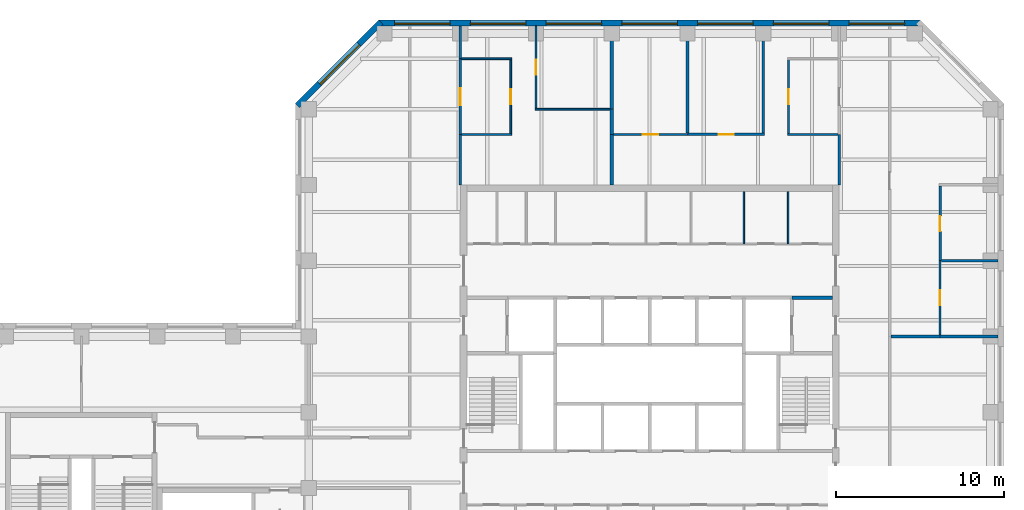
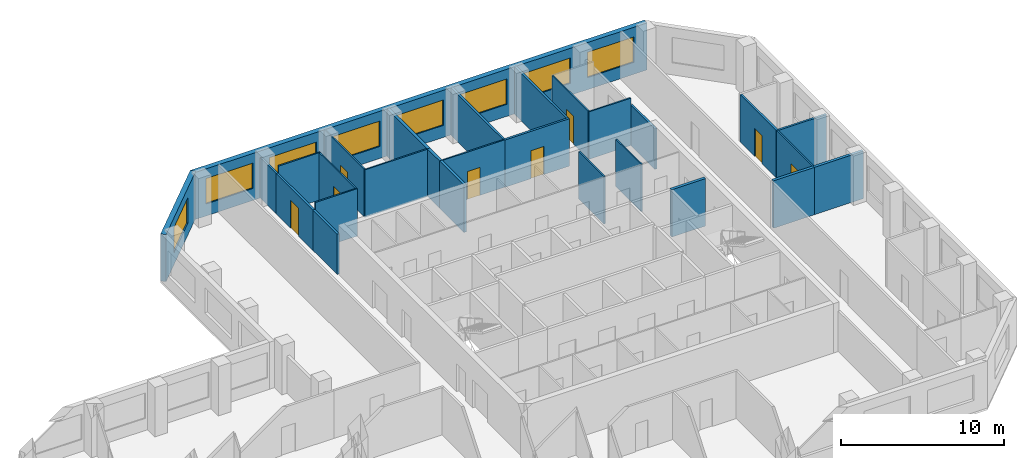
# One storey, part 7 of 9: 28 walls, 8 doors, 8 windows, 16 openings.
"""IFC4 building model written with IfcOpenShell, lengths in metres."""

from ifc_helpers import new_model, si_unit, direction, frame, frame_2d, origin, place, context, subcontext, project, spatial, rectangle, extrude, material, layer, layer_set, constituent, constituent_set, type_object, element, fill, save


model = new_model("IFC4")

# Units and contexts
model_context = context("Model", 3, precision=1e-05, world=origin(), true_north=direction((0.0, 1.0)))
body_context = subcontext(model_context, "Body", "Model", "MODEL_VIEW")
ifc_project = project(units=[si_unit("LENGTHUNIT", "METRE"), si_unit("AREAUNIT", "SQUARE_METRE"), si_unit("VOLUMEUNIT", "CUBIC_METRE"), si_unit("PLANEANGLEUNIT", "RADIAN"), si_unit("MASSUNIT", "GRAM", prefix="KILO")], contexts=[model_context])

# Site, building, storey
site_placement = place(None, origin())
site = spatial("IfcSite", under=ifc_project, at=site_placement, CompositionType="ELEMENT")
building_placement = place(site_placement, origin())
building = spatial("IfcBuilding", under=site, at=building_placement, Name="Quoin Convention Tower", CompositionType="ELEMENT")
storey_placement = place(building_placement, frame((0.0, 0.0, 252.60009765625)))
storey = spatial("IfcBuildingStorey", under=building, at=storey_placement, Name="L66", CompositionType="ELEMENT", Elevation=252.60009765625)

# Wall
ifc_material_1 = material(Name="Plasterboard")
ifc_layer_1 = layer(ifc_material_1, 0.012451171875, Name="Finish")
ifc_material_2 = material(Name="Steel stud framing", Category="steel")
ifc_layer_2 = layer(ifc_material_2, 0.125, Name="Structure")
ifc_layer_3 = layer(ifc_material_1, 0.012451171875, Name="Finish")
ifc_layer_set_1 = layer_set([ifc_layer_1, ifc_layer_2, ifc_layer_3], Name="Steel stud framing")
wall_type_1 = type_object("IfcWallType", Name="Acoustic partition 150", PredefinedType="PARTITIONING", material=ifc_layer_set_1)
wall_1_placement = place(storey_placement, frame((73.574951171875, 67.5, 0.0), z_axis=(0.0, 0.0, 1.0), x_axis=(1.0, 0.0, 0.0)))
element("IfcWall", 1, at=wall_1_placement, inside=storey, type_object=wall_type_1, Name="pw-L66-023", PredefinedType="PARTITIONING", context=body_context, shape_type="SweptSolid", body=[
    extrude(rectangle(XDim=3.375, YDim=0.14990234375, at=frame_2d((1.6875, 0.0))), origin(), (0.0, 0.0, 1.0), 3.5498046875),
])

# Wall, opening, door
wall_2_placement = place(storey_placement, frame((58.5, 75.0, 0.0), z_axis=(0.0, 0.0, 1.0), x_axis=(1.0, 0.0, 0.0)))
wall_2 = element("IfcWall", 2, at=wall_2_placement, inside=storey, type_object=wall_type_1, Name="pw-L66-027", PredefinedType="PARTITIONING", context=body_context, shape_type="SweptSolid", body=[
    extrude(rectangle(XDim=4.574951171875, YDim=0.14990234375, at=frame_2d((2.28759765625, 0.0))), origin(), (0.0, 0.0, 1.0), 3.5498046875),
])
opening_1_placement = place(wall_2_placement, frame((1.85009765625, 0.0, 0.0)))
opening_1 = element("IfcOpeningElement", 3, at=opening_1_placement, cuts=wall_2, Name="Opening DOH12-08", PredefinedType="OPENING", context=body_context, shape_type="SweptSolid", body=[
    extrude(rectangle(XDim=0.89990234375, YDim=2.10009765625, at=frame_2d((0.449951171875, 1.050048828125))), frame((0.0, 0.0849609375, 0.0), z_axis=(0.0, -1.0, 0.0), x_axis=(1.0, 0.0, 0.0)), (0.0, 0.0, 1.0), 0.169921875),
])
ifc_material_3 = material(Name="Steel door leaf", Category="steel")
door_type_1 = type_object("IfcDoorType", Name="Office door 900 x 2100", OperationType="SINGLE_SWING_RIGHT", PredefinedType="DOOR", material=ifc_material_3)
door_1_placement = place(opening_1_placement, frame((0.89990234375, 0.0, 0.0), z_axis=(0.0, 0.0, 1.0), x_axis=(-1.0, 0.0, 0.0)))
door_1 = element("IfcDoor", 4, at=door_1_placement, inside=storey, type_object=door_type_1, Name="dr-L66-22", OperationType="SINGLE_SWING_LEFT", OverallHeight=2.10009765625, OverallWidth=0.89990234375, PredefinedType="DOOR", context=body_context, shape_type="SweptSolid", body=[
    extrude(rectangle(XDim=0.89990234375, YDim=2.10009765625, at=frame_2d((0.449951171875, 1.050048828125))), frame((0.0, 0.02490234375, 0.0), z_axis=(0.0, -1.0, 0.0), x_axis=(1.0, 0.0, 0.0)), (0.0, 0.0, 1.0), 0.050048828125),
])
fill(opening_1, door_1)

wall_3_placement = place(storey_placement, frame((73.5, 67.5, 0.0), z_axis=(0.0, 0.0, 1.0), x_axis=(0.0, 1.0, 0.0)))
wall_3 = element("IfcWall", 5, at=wall_3_placement, inside=storey, type_object=wall_type_1, Name="pw-L66-064", PredefinedType="PARTITIONING", context=body_context, shape_type="SweptSolid", body=[
    extrude(rectangle(XDim=4.425048828125, YDim=0.14990234375, at=frame_2d((2.21240234375, 0.0))), origin(), (0.0, 0.0, 1.0), 3.5498046875),
])
opening_2_placement = place(wall_3_placement, frame((1.75, 0.0, 0.0)))
opening_2 = element("IfcOpeningElement", 6, at=opening_2_placement, cuts=wall_3, Name="Opening DOH12-17", PredefinedType="OPENING", context=body_context, shape_type="SweptSolid", body=[
    extrude(rectangle(XDim=0.89990234375, YDim=2.10009765625, at=frame_2d((0.449951171875, 1.050048828125))), frame((0.0, 0.0849609375, 0.0), z_axis=(0.0, -1.0, 0.0), x_axis=(1.0, 0.0, 0.0)), (0.0, 0.0, 1.0), 0.169921875),
])
door_2_placement = place(opening_2_placement, origin())
door_2 = element("IfcDoor", 7, at=door_2_placement, inside=storey, type_object=door_type_1, Name="dr-L66-29", OperationType="SINGLE_SWING_RIGHT", OverallHeight=2.10009765625, OverallWidth=0.89990234375, PredefinedType="DOOR", context=body_context, shape_type="SweptSolid", body=[
    extrude(rectangle(XDim=0.89990234375, YDim=2.10009765625, at=frame_2d((0.449951171875, 1.050048828125))), frame((0.0, 0.02490234375, 0.0), z_axis=(0.0, -1.0, 0.0), x_axis=(1.0, 0.0, 0.0)), (0.0, 0.0, 1.0), 0.050048828125),
])
fill(opening_2, door_2)

# Walls
for number, where, z_axis, x_axis, name in (
    (8, (58.5, 75.074951171875, 0.0), (0.0, 0.0, 1.0), (0.0, 1.0, 0.0), "pw-L66-073"),
    (9, (63.0, 75.074951171875, 0.0), (0.0, 0.0, 1.0), (0.0, 1.0, 0.0), "pw-L66-074"),
):
    element("IfcWall", number, at=place(storey_placement, frame(where, z_axis=z_axis, x_axis=x_axis)), inside=storey, type_object=wall_type_1, Name=name, PredefinedType="PARTITIONING", context=body_context, shape_type="SweptSolid", body=[
        extrude(rectangle(XDim=6.375, YDim=0.14990234375, at=frame_2d((3.1875, 0.0))), origin(), (0.0, 0.0, 1.0), 3.5498046875),
    ])

# Wall, openings, windows
ifc_material_4 = material(Name="Brick masonry", Category="masonry")
ifc_layer_4 = layer(ifc_material_4, 0.35009765625)
ifc_layer_set_2 = layer_set([ifc_layer_4], Name="Brick masonry")
wall_type_2 = type_object("IfcWallType", Name="Brick facade wall", PredefinedType="STANDARD", material=ifc_layer_set_2)
wall_4_placement = place(storey_placement, frame((72.331298828125, 81.625, 0.0), z_axis=(0.0, 0.0, 1.0), x_axis=(-1.0, 0.0, 0.0)))
wall_4 = element("IfcWall", 10, at=wall_4_placement, inside=storey, type_object=wall_type_2, Name="fw-L66-72000_81000", PredefinedType="STANDARD", context=body_context, shape_type="SweptSolid", body=[
    extrude(rectangle(XDim=32.16259765625, YDim=0.35009765625, at=frame_2d((16.081298828125, 0.0))), origin(), (0.0, 0.0, 1.0), 3.52490234375),
])
opening_3_placement = place(wall_4_placement, frame((0.931396484375, 0.0, 0.89990234375)))
opening_3 = element("IfcOpeningElement", 11, at=opening_3_placement, cuts=wall_4, Name="Opening W-02", PredefinedType="OPENING", context=body_context, shape_type="SweptSolid", body=[
    extrude(rectangle(XDim=3.300048828125, YDim=1.89990234375, at=frame_2d((1.64990234375, 0.949951171875))), frame((0.0, 0.18505859375, 0.0), z_axis=(0.0, -1.0, 0.0), x_axis=(1.0, 0.0, 0.0)), (0.0, 0.0, 1.0), 0.3701171875),
])
opening_4_placement = place(wall_4_placement, frame((5.431396484375, 0.0, 0.89990234375)))
opening_4 = element("IfcOpeningElement", 12, at=opening_4_placement, cuts=wall_4, Name="Opening W-02", PredefinedType="OPENING", context=body_context, shape_type="SweptSolid", body=[
    extrude(rectangle(XDim=3.300048828125, YDim=1.89990234375, at=frame_2d((1.64990234375, 0.949951171875))), frame((0.0, 0.18505859375, 0.0), z_axis=(0.0, -1.0, 0.0), x_axis=(1.0, 0.0, 0.0)), (0.0, 0.0, 1.0), 0.3701171875),
])
opening_5_placement = place(wall_4_placement, frame((9.931396484375, 0.0, 0.89990234375)))
opening_5 = element("IfcOpeningElement", 13, at=opening_5_placement, cuts=wall_4, Name="Opening W-02", PredefinedType="OPENING", context=body_context, shape_type="SweptSolid", body=[
    extrude(rectangle(XDim=3.300048828125, YDim=1.89990234375, at=frame_2d((1.64990234375, 0.949951171875))), frame((0.0, 0.18505859375, 0.0), z_axis=(0.0, -1.0, 0.0), x_axis=(1.0, 0.0, 0.0)), (0.0, 0.0, 1.0), 0.3701171875),
])
opening_6_placement = place(wall_4_placement, frame((14.431396484375, 0.0, 0.89990234375)))
opening_6 = element("IfcOpeningElement", 14, at=opening_6_placement, cuts=wall_4, Name="Opening W-02", PredefinedType="OPENING", context=body_context, shape_type="SweptSolid", body=[
    extrude(rectangle(XDim=3.300048828125, YDim=1.89990234375, at=frame_2d((1.64990234375, 0.949951171875))), frame((0.0, 0.18505859375, 0.0), z_axis=(0.0, -1.0, 0.0), x_axis=(1.0, 0.0, 0.0)), (0.0, 0.0, 1.0), 0.3701171875),
])
opening_7_placement = place(wall_4_placement, frame((18.931396484375, 0.0, 0.89990234375)))
opening_7 = element("IfcOpeningElement", 15, at=opening_7_placement, cuts=wall_4, Name="Opening W-02", PredefinedType="OPENING", context=body_context, shape_type="SweptSolid", body=[
    extrude(rectangle(XDim=3.300048828125, YDim=1.89990234375, at=frame_2d((1.64990234375, 0.949951171875))), frame((0.0, 0.18505859375, 0.0), z_axis=(0.0, -1.0, 0.0), x_axis=(1.0, 0.0, 0.0)), (0.0, 0.0, 1.0), 0.3701171875),
])
opening_8_placement = place(wall_4_placement, frame((23.431396484375, 0.0, 0.89990234375)))
opening_8 = element("IfcOpeningElement", 16, at=opening_8_placement, cuts=wall_4, Name="Opening W-02", PredefinedType="OPENING", context=body_context, shape_type="SweptSolid", body=[
    extrude(rectangle(XDim=3.300048828125, YDim=1.89990234375, at=frame_2d((1.64990234375, 0.949951171875))), frame((0.0, 0.18505859375, 0.0), z_axis=(0.0, -1.0, 0.0), x_axis=(1.0, 0.0, 0.0)), (0.0, 0.0, 1.0), 0.3701171875),
])
opening_9_placement = place(wall_4_placement, frame((27.931396484375, 0.0, 0.89990234375)))
opening_9 = element("IfcOpeningElement", 17, at=opening_9_placement, cuts=wall_4, Name="Opening W-02", PredefinedType="OPENING", context=body_context, shape_type="SweptSolid", body=[
    extrude(rectangle(XDim=3.300048828125, YDim=1.89990234375, at=frame_2d((1.64990234375, 0.949951171875))), frame((0.0, 0.18505859375, 0.0), z_axis=(0.0, -1.0, 0.0), x_axis=(1.0, 0.0, 0.0)), (0.0, 0.0, 1.0), 0.3701171875),
])
ifc_material_5 = material(Name="Aluminium", Category="aluminium")
ifc_constituent_1 = constituent(ifc_material_5, Name="Frame")
ifc_material_6 = material(Name="Insulated glass", Category="glass")
ifc_constituent_2 = constituent(ifc_material_6, Name="Glazing")
ifc_constituent_set = constituent_set(constituents=[ifc_constituent_1, ifc_constituent_2], Name="Aluminium")
window_type = type_object("IfcWindowType", Name="Office window", PartitioningType="DOUBLE_PANEL_VERTICAL", PredefinedType="WINDOW", material=ifc_constituent_set)
window_1_placement = place(opening_3_placement, origin())
window_1 = element("IfcWindow", 18, at=window_1_placement, inside=storey, type_object=window_type, Name="win-L66-69750_81625", OverallHeight=1.89990234375, OverallWidth=3.300048828125, PartitioningType="SINGLE_PANEL", PredefinedType="WINDOW", context=body_context, shape_type="SweptSolid", body=[
    extrude(rectangle(XDim=3.300048828125, YDim=1.89990234375, at=frame_2d((1.64990234375, 0.949951171875))), frame((0.0, 0.0849609375, 0.0), z_axis=(0.0, -1.0, 0.0), x_axis=(1.0, 0.0, 0.0)), (0.0, 0.0, 1.0), 0.06005859375),
])
fill(opening_3, window_1)
window_2_placement = place(opening_4_placement, origin())
window_2 = element("IfcWindow", 19, at=window_2_placement, inside=storey, type_object=window_type, Name="win-L66-65250_81625", OverallHeight=1.89990234375, OverallWidth=3.300048828125, PartitioningType="SINGLE_PANEL", PredefinedType="WINDOW", context=body_context, shape_type="SweptSolid", body=[
    extrude(rectangle(XDim=3.300048828125, YDim=1.89990234375, at=frame_2d((1.64990234375, 0.949951171875))), frame((0.0, 0.0849609375, 0.0), z_axis=(0.0, -1.0, 0.0), x_axis=(1.0, 0.0, 0.0)), (0.0, 0.0, 1.0), 0.06005859375),
])
fill(opening_4, window_2)
window_3_placement = place(opening_5_placement, origin())
window_3 = element("IfcWindow", 20, at=window_3_placement, inside=storey, type_object=window_type, Name="win-L66-60750_81625", OverallHeight=1.89990234375, OverallWidth=3.300048828125, PartitioningType="SINGLE_PANEL", PredefinedType="WINDOW", context=body_context, shape_type="SweptSolid", body=[
    extrude(rectangle(XDim=3.300048828125, YDim=1.89990234375, at=frame_2d((1.64990234375, 0.949951171875))), frame((0.0, 0.0849609375, 0.0), z_axis=(0.0, -1.0, 0.0), x_axis=(1.0, 0.0, 0.0)), (0.0, 0.0, 1.0), 0.06005859375),
])
fill(opening_5, window_3)
window_4_placement = place(opening_6_placement, origin())
window_4 = element("IfcWindow", 21, at=window_4_placement, inside=storey, type_object=window_type, Name="win-L66-56250_81625", OverallHeight=1.89990234375, OverallWidth=3.300048828125, PartitioningType="SINGLE_PANEL", PredefinedType="WINDOW", context=body_context, shape_type="SweptSolid", body=[
    extrude(rectangle(XDim=3.300048828125, YDim=1.89990234375, at=frame_2d((1.64990234375, 0.949951171875))), frame((0.0, 0.0849609375, 0.0), z_axis=(0.0, -1.0, 0.0), x_axis=(1.0, 0.0, 0.0)), (0.0, 0.0, 1.0), 0.06005859375),
])
fill(opening_6, window_4)
window_5_placement = place(opening_7_placement, origin())
window_5 = element("IfcWindow", 22, at=window_5_placement, inside=storey, type_object=window_type, Name="win-L66-51750_81625", OverallHeight=1.89990234375, OverallWidth=3.300048828125, PartitioningType="SINGLE_PANEL", PredefinedType="WINDOW", context=body_context, shape_type="SweptSolid", body=[
    extrude(rectangle(XDim=3.300048828125, YDim=1.89990234375, at=frame_2d((1.64990234375, 0.949951171875))), frame((0.0, 0.0849609375, 0.0), z_axis=(0.0, -1.0, 0.0), x_axis=(1.0, 0.0, 0.0)), (0.0, 0.0, 1.0), 0.06005859375),
])
fill(opening_7, window_5)
window_6_placement = place(opening_8_placement, origin())
window_6 = element("IfcWindow", 23, at=window_6_placement, inside=storey, type_object=window_type, Name="win-L66-47250_81625", OverallHeight=1.89990234375, OverallWidth=3.300048828125, PartitioningType="SINGLE_PANEL", PredefinedType="WINDOW", context=body_context, shape_type="SweptSolid", body=[
    extrude(rectangle(XDim=3.300048828125, YDim=1.89990234375, at=frame_2d((1.64990234375, 0.949951171875))), frame((0.0, 0.0849609375, 0.0), z_axis=(0.0, -1.0, 0.0), x_axis=(1.0, 0.0, 0.0)), (0.0, 0.0, 1.0), 0.06005859375),
])
fill(opening_8, window_6)
window_7_placement = place(opening_9_placement, origin())
window_7 = element("IfcWindow", 24, at=window_7_placement, inside=storey, type_object=window_type, Name="win-L66-42750_81625", OverallHeight=1.89990234375, OverallWidth=3.300048828125, PartitioningType="SINGLE_PANEL", PredefinedType="WINDOW", context=body_context, shape_type="SweptSolid", body=[
    extrude(rectangle(XDim=3.300048828125, YDim=1.89990234375, at=frame_2d((1.64990234375, 0.949951171875))), frame((0.0, 0.0849609375, 0.0), z_axis=(0.0, -1.0, 0.0), x_axis=(1.0, 0.0, 0.0)), (0.0, 0.0, 1.0), 0.06005859375),
])
fill(opening_9, window_7)

# Wall, opening, window
wall_5_placement = place(storey_placement, frame((40.29248046875, 81.67626953125, 0.0), z_axis=(0.0, 0.0, 1.0), x_axis=(-0.707106781187, -0.707106781187, 0.0)))
wall_5 = element("IfcWall", 25, at=wall_5_placement, inside=storey, type_object=wall_type_2, Name="fw-L66-40500_81000", PredefinedType="STANDARD", context=body_context, shape_type="SweptSolid", body=[
    extrude(rectangle(XDim=7.02685546875, YDim=0.35009765625, at=frame_2d((3.513427734375, 0.0))), origin(), (0.0, 0.0, 1.0), 3.52490234375),
])
opening_10_placement = place(wall_5_placement, frame((1.86328125, 0.0, 0.89990234375)))
opening_10 = element("IfcOpeningElement", 26, at=opening_10_placement, cuts=wall_5, Name="Opening W-02", PredefinedType="OPENING", context=body_context, shape_type="SweptSolid", body=[
    extrude(rectangle(XDim=3.300048828125, YDim=1.89990234375, at=frame_2d((1.64990234375, 0.949951171875))), frame((0.0, 0.18505859375, 0.0), z_axis=(0.0, -1.0, 0.0), x_axis=(1.0, 0.0, 0.0)), (0.0, 0.0, 1.0), 0.3701171875),
])
window_8_placement = place(opening_10_placement, origin())
window_8 = element("IfcWindow", 27, at=window_8_placement, inside=storey, type_object=window_type, Name="win-L66-37808_79192", OverallHeight=1.89990234375, OverallWidth=3.300048828125, PartitioningType="SINGLE_PANEL", PredefinedType="WINDOW", context=body_context, shape_type="SweptSolid", body=[
    extrude(rectangle(XDim=3.300048828125, YDim=1.89990234375, at=frame_2d((1.64990234375, 0.949951171875))), frame((0.0, 0.0849609375, 0.0), z_axis=(0.0, -1.0, 0.0), x_axis=(1.0, 0.0, 0.0)), (0.0, 0.0, 1.0), 0.06005859375),
])
fill(opening_10, window_8)

# Walls
ifc_layer_5 = layer(ifc_material_1, 0.012451171875, Name="Finish")
ifc_layer_6 = layer(ifc_material_2, 0.074951171875, Name="Structure")
ifc_layer_7 = layer(ifc_material_1, 0.012451171875, Name="Finish")
ifc_layer_set_3 = layer_set([ifc_layer_5, ifc_layer_6, ifc_layer_7], Name="Steel stud framing")
wall_type_3 = type_object("IfcWallType", Name="Core partition wall", PredefinedType="PARTITIONING", material=ifc_layer_set_3)
for number, where, z_axis, x_axis, name in (
    (28, (61.85009765625, 68.5, 0.0), (0.0, 0.0, 1.0), (0.0, 1.0, 0.0), "cr-C1-L66-v16850_19000"),
    (29, (64.47509765625, 68.5, 0.0), (0.0, 0.0, 1.0), (0.0, 1.0, 0.0), "cr-C1-L66-v19475_19000"),
):
    element("IfcWall", number, at=place(storey_placement, frame(where, z_axis=z_axis, x_axis=x_axis)), inside=storey, type_object=wall_type_3, Name=name, PredefinedType="PARTITIONING", context=body_context, shape_type="SweptSolid", body=[
        extrude(rectangle(XDim=3.10009765625, YDim=0.10009765625, at=frame_2d((1.550048828125, 0.0))), origin(), (0.0, 0.0, 1.0), 3.5498046875),
    ])
ifc_material_7 = material(Name="Concrete C50", Category="concrete")
ifc_layer_8 = layer(ifc_material_7, 0.199951171875)
ifc_layer_set_4 = layer_set([ifc_layer_8], Name="Concrete C50")
wall_type_4 = type_object("IfcWallType", Name="Core shaft wall", PredefinedType="SOLIDWALL", material=ifc_layer_set_4)
wall_6_placement = place(storey_placement, frame((64.699951171875, 65.300048828125, 0.0), z_axis=(0.0, 0.0, 1.0), x_axis=(1.0, 0.0, 0.0)))
element("IfcWall", 30, at=wall_6_placement, inside=storey, type_object=wall_type_4, Name="cr-C1-L66-h15800_19700", PredefinedType="SOLIDWALL", context=body_context, shape_type="SweptSolid", body=[
    extrude(rectangle(XDim=2.400146484375, YDim=0.199951171875, at=frame_2d((1.2001953125, 0.0))), origin(), (0.0, 0.0, 1.0), 3.5498046875),
])
ifc_layer_9 = layer(ifc_material_1, 0.012451171875, Name="Finish")
ifc_layer_10 = layer(ifc_material_2, 0.125, Name="Structure")
ifc_layer_11 = layer(ifc_material_1, 0.012451171875, Name="Finish")
ifc_layer_set_5 = layer_set([ifc_layer_9, ifc_layer_10, ifc_layer_11], Name="Steel stud framing")
wall_type_5 = type_object("IfcWallType", Name="Corridor wall 150 under beam 528", PredefinedType="PARTITIONING", material=ifc_layer_set_5)
for number, where, z_axis, x_axis, name in (
    (31, (45.0, 72.0, 0.0), (0.0, 0.0, 1.0), (0.0, 1.0, 0.0), "pw-L66-065"),
    (32, (67.5, 72.0, 0.0), (0.0, 0.0, 1.0), (0.0, 1.0, 0.0), "pw-L66-067"),
):
    element("IfcWall", number, at=place(storey_placement, frame(where, z_axis=z_axis, x_axis=x_axis)), inside=storey, type_object=wall_type_5, Name=name, PredefinedType="PARTITIONING", context=body_context, shape_type="SweptSolid", body=[
        extrude(rectangle(XDim=3.0, YDim=0.14990234375, at=frame_2d((1.5, 0.0))), origin(), (0.0, 0.0, 1.0), 3.02197265625),
    ])

# Wall, opening, door
wall_7_placement = place(storey_placement, frame((45.0, 75.0, 0.0), z_axis=(0.0, 0.0, 1.0), x_axis=(0.0, 1.0, 0.0)))
wall_7 = element("IfcWall", 33, at=wall_7_placement, inside=storey, type_object=wall_type_5, Name="pw-L66-068", PredefinedType="PARTITIONING", context=body_context, shape_type="SweptSolid", body=[
    extrude(rectangle(XDim=4.5, YDim=0.14990234375, at=frame_2d((2.25, 0.0))), origin(), (0.0, 0.0, 1.0), 3.02197265625),
])
opening_11_placement = place(wall_7_placement, frame((1.75, 0.0, 0.0)))
opening_11 = element("IfcOpeningElement", 34, at=opening_11_placement, cuts=wall_7, Name="Opening DOH12-18", PredefinedType="OPENING", context=body_context, shape_type="SweptSolid", body=[
    extrude(rectangle(XDim=1.0, YDim=2.10009765625, at=frame_2d((0.5, 1.050048828125))), frame((0.0, 0.0849609375, 0.0), z_axis=(0.0, -1.0, 0.0), x_axis=(1.0, 0.0, 0.0)), (0.0, 0.0, 1.0), 0.169921875),
])
door_type_2 = type_object("IfcDoorType", Name="Tenancy entrance door 1000 x 2100", OperationType="DOUBLE_DOOR_SINGLE_SWING", PredefinedType="DOOR", material=ifc_material_3)
door_3_placement = place(opening_11_placement, origin())
door_3 = element("IfcDoor", 35, at=door_3_placement, inside=storey, type_object=door_type_2, Name="dr-L66-16", OperationType="DOUBLE_DOOR_SINGLE_SWING", OverallHeight=2.10009765625, OverallWidth=1.0, PredefinedType="DOOR", context=body_context, shape_type="SweptSolid", body=[
    extrude(rectangle(XDim=1.0, YDim=2.10009765625, at=frame_2d((0.5, 1.050048828125))), frame((0.0, 0.02490234375, 0.0), z_axis=(0.0, -1.0, 0.0), x_axis=(1.0, 0.0, 0.0)), (0.0, 0.0, 1.0), 0.050048828125),
])
fill(opening_11, door_3)

# Walls
wall_8_placement = place(storey_placement, frame((45.0, 79.5, 0.0), z_axis=(0.0, 0.0, 1.0), x_axis=(0.0, 1.0, 0.0)))
element("IfcWall", 36, at=wall_8_placement, inside=storey, type_object=wall_type_5, Name="pw-L66-077", PredefinedType="PARTITIONING", context=body_context, shape_type="SweptSolid", body=[
    extrude(rectangle(XDim=1.949951171875, YDim=0.14990234375, at=frame_2d((0.97509765625, 0.0))), origin(), (0.0, 0.0, 1.0), 3.02197265625),
])
ifc_layer_12 = layer(ifc_material_1, 0.012451171875, Name="Finish")
ifc_layer_13 = layer(ifc_material_2, 0.074951171875, Name="Structure")
ifc_layer_14 = layer(ifc_material_1, 0.012451171875, Name="Finish")
ifc_layer_set_6 = layer_set([ifc_layer_12, ifc_layer_13, ifc_layer_14], Name="Steel stud framing")
wall_type_6 = type_object("IfcWallType", Name="Stud partition 100", PredefinedType="PARTITIONING", material=ifc_layer_set_6)
wall_9_placement = place(storey_placement, frame((45.074951171875, 75.0, 0.0), z_axis=(0.0, 0.0, 1.0), x_axis=(1.0, 0.0, 0.0)))
element("IfcWall", 37, at=wall_9_placement, inside=storey, type_object=wall_type_6, Name="pw-L66-025", PredefinedType="PARTITIONING", context=body_context, shape_type="SweptSolid", body=[
    extrude(rectangle(XDim=2.97509765625, YDim=0.10009765625, at=frame_2d((1.487548828125, 0.0))), origin(), (0.0, 0.0, 1.0), 3.5498046875),
])

# Wall, opening, door
wall_10_placement = place(storey_placement, frame((54.10009765625, 75.0, 0.0), z_axis=(0.0, 0.0, 1.0), x_axis=(1.0, 0.0, 0.0)))
wall_10 = element("IfcWall", 38, at=wall_10_placement, inside=storey, type_object=wall_type_6, Name="pw-L66-026", PredefinedType="PARTITIONING", context=body_context, shape_type="SweptSolid", body=[
    extrude(rectangle(XDim=4.39990234375, YDim=0.10009765625, at=frame_2d((2.199951171875, 0.0))), origin(), (0.0, 0.0, 1.0), 3.5498046875),
])
opening_12_placement = place(wall_10_placement, frame((1.75, 0.0, 0.0)))
opening_12 = element("IfcOpeningElement", 39, at=opening_12_placement, cuts=wall_10, Name="Opening DOH12-07", PredefinedType="OPENING", context=body_context, shape_type="SweptSolid", body=[
    extrude(rectangle(XDim=0.89990234375, YDim=2.10009765625, at=frame_2d((0.449951171875, 1.050048828125))), frame((0.0, 0.06005859375, 0.0), z_axis=(0.0, -1.0, 0.0), x_axis=(1.0, 0.0, 0.0)), (0.0, 0.0, 1.0), 0.1201171875),
])
door_4_placement = place(opening_12_placement, frame((0.89990234375, 0.0, 0.0), z_axis=(0.0, 0.0, 1.0), x_axis=(-1.0, 0.0, 0.0)))
door_4 = element("IfcDoor", 40, at=door_4_placement, inside=storey, type_object=door_type_1, Name="dr-L66-21", OperationType="SINGLE_SWING_LEFT", OverallHeight=2.10009765625, OverallWidth=0.89990234375, PredefinedType="DOOR", context=body_context, shape_type="SweptSolid", body=[
    extrude(rectangle(XDim=0.89990234375, YDim=2.10009765625, at=frame_2d((0.449951171875, 1.050048828125))), frame((0.0, 0.02490234375, 0.0), z_axis=(0.0, -1.0, 0.0), x_axis=(1.0, 0.0, 0.0)), (0.0, 0.0, 1.0), 0.050048828125),
])
fill(opening_12, door_4)

# Walls
wall_11_placement = place(storey_placement, frame((64.449951171875, 75.0, 0.0), z_axis=(0.0, 0.0, 1.0), x_axis=(1.0, 0.0, 0.0)))
element("IfcWall", 41, at=wall_11_placement, inside=storey, type_object=wall_type_6, Name="pw-L66-028", PredefinedType="PARTITIONING", context=body_context, shape_type="SweptSolid", body=[
    extrude(rectangle(XDim=2.97509765625, YDim=0.10009765625, at=frame_2d((1.487548828125, 0.0))), origin(), (0.0, 0.0, 1.0), 3.5498046875),
])
wall_12_placement = place(storey_placement, frame((49.449951171875, 76.5, 0.0), z_axis=(0.0, 0.0, 1.0), x_axis=(1.0, 0.0, 0.0)))
element("IfcWall", 42, at=wall_12_placement, inside=storey, type_object=wall_type_6, Name="pw-L66-029", PredefinedType="PARTITIONING", context=body_context, shape_type="SweptSolid", body=[
    extrude(rectangle(XDim=4.449951171875, YDim=0.10009765625, at=frame_2d((2.22509765625, 0.0))), origin(), (0.0, 0.0, 1.0), 3.5498046875),
])
wall_13_placement = place(storey_placement, frame((45.074951171875, 79.5, 0.0), z_axis=(0.0, 0.0, 1.0), x_axis=(1.0, 0.0, 0.0)))
element("IfcWall", 43, at=wall_13_placement, inside=storey, type_object=wall_type_6, Name="pw-L66-030", PredefinedType="PARTITIONING", context=body_context, shape_type="SweptSolid", body=[
    extrude(rectangle(XDim=2.97509765625, YDim=0.10009765625, at=frame_2d((1.487548828125, 0.0))), origin(), (0.0, 0.0, 1.0), 3.5498046875),
])

# Wall, opening, door
wall_14_placement = place(storey_placement, frame((73.5, 63.10009765625, 0.0), z_axis=(0.0, 0.0, 1.0), x_axis=(0.0, 1.0, 0.0)))
wall_14 = element("IfcWall", 44, at=wall_14_placement, inside=storey, type_object=wall_type_6, Name="pw-L66-063", PredefinedType="PARTITIONING", context=body_context, shape_type="SweptSolid", body=[
    extrude(rectangle(XDim=4.39990234375, YDim=0.10009765625, at=frame_2d((2.199951171875, 0.0))), origin(), (0.0, 0.0, 1.0), 3.5498046875),
])
opening_13_placement = place(wall_14_placement, frame((1.75, 0.0, 0.0)))
opening_13 = element("IfcOpeningElement", 45, at=opening_13_placement, cuts=wall_14, Name="Opening DOH12-16", PredefinedType="OPENING", context=body_context, shape_type="SweptSolid", body=[
    extrude(rectangle(XDim=0.89990234375, YDim=2.10009765625, at=frame_2d((0.449951171875, 1.050048828125))), frame((0.0, 0.06005859375, 0.0), z_axis=(0.0, -1.0, 0.0), x_axis=(1.0, 0.0, 0.0)), (0.0, 0.0, 1.0), 0.1201171875),
])
door_5_placement = place(opening_13_placement, origin())
door_5 = element("IfcDoor", 46, at=door_5_placement, inside=storey, type_object=door_type_1, Name="dr-L66-28", OperationType="SINGLE_SWING_RIGHT", OverallHeight=2.10009765625, OverallWidth=0.89990234375, PredefinedType="DOOR", context=body_context, shape_type="SweptSolid", body=[
    extrude(rectangle(XDim=0.89990234375, YDim=2.10009765625, at=frame_2d((0.449951171875, 1.050048828125))), frame((0.0, 0.02490234375, 0.0), z_axis=(0.0, -1.0, 0.0), x_axis=(1.0, 0.0, 0.0)), (0.0, 0.0, 1.0), 0.050048828125),
])
fill(opening_13, door_5)

wall_15_placement = place(storey_placement, frame((48.0, 75.050048828125, 0.0), z_axis=(0.0, 0.0, 1.0), x_axis=(0.0, 1.0, 0.0)))
wall_15 = element("IfcWall", 47, at=wall_15_placement, inside=storey, type_object=wall_type_6, Name="pw-L66-071", PredefinedType="PARTITIONING", context=body_context, shape_type="SweptSolid", body=[
    extrude(rectangle(XDim=4.39990234375, YDim=0.10009765625, at=frame_2d((2.199951171875, 0.0))), origin(), (0.0, 0.0, 1.0), 3.5498046875),
])
opening_14_placement = place(wall_15_placement, frame((1.75, 0.0, 0.0)))
opening_14 = element("IfcOpeningElement", 48, at=opening_14_placement, cuts=wall_15, Name="Opening DOH12-20", PredefinedType="OPENING", context=body_context, shape_type="SweptSolid", body=[
    extrude(rectangle(XDim=0.89990234375, YDim=2.10009765625, at=frame_2d((0.449951171875, 1.050048828125))), frame((0.0, 0.06005859375, 0.0), z_axis=(0.0, -1.0, 0.0), x_axis=(1.0, 0.0, 0.0)), (0.0, 0.0, 1.0), 0.1201171875),
])
door_6_placement = place(opening_14_placement, frame((0.89990234375, 0.0, 0.0), z_axis=(0.0, 0.0, 1.0), x_axis=(-1.0, 0.0, 0.0)))
door_6 = element("IfcDoor", 49, at=door_6_placement, inside=storey, type_object=door_type_1, Name="dr-L66-17", OperationType="SINGLE_SWING_LEFT", OverallHeight=2.10009765625, OverallWidth=0.89990234375, PredefinedType="DOOR", context=body_context, shape_type="SweptSolid", body=[
    extrude(rectangle(XDim=0.89990234375, YDim=2.10009765625, at=frame_2d((0.449951171875, 1.050048828125))), frame((0.0, 0.02490234375, 0.0), z_axis=(0.0, -1.0, 0.0), x_axis=(1.0, 0.0, 0.0)), (0.0, 0.0, 1.0), 0.050048828125),
])
fill(opening_14, door_6)

wall_16_placement = place(storey_placement, frame((64.5, 75.050048828125, 0.0), z_axis=(0.0, 0.0, 1.0), x_axis=(0.0, 1.0, 0.0)))
wall_16 = element("IfcWall", 50, at=wall_16_placement, inside=storey, type_object=wall_type_6, Name="pw-L66-072", PredefinedType="PARTITIONING", context=body_context, shape_type="SweptSolid", body=[
    extrude(rectangle(XDim=4.39990234375, YDim=0.10009765625, at=frame_2d((2.199951171875, 0.0))), origin(), (0.0, 0.0, 1.0), 3.5498046875),
])
opening_15_placement = place(wall_16_placement, frame((1.75, 0.0, 0.0)))
opening_15 = element("IfcOpeningElement", 51, at=opening_15_placement, cuts=wall_16, Name="Opening DOH12-21", PredefinedType="OPENING", context=body_context, shape_type="SweptSolid", body=[
    extrude(rectangle(XDim=0.89990234375, YDim=2.10009765625, at=frame_2d((0.449951171875, 1.050048828125))), frame((0.0, 0.06005859375, 0.0), z_axis=(0.0, -1.0, 0.0), x_axis=(1.0, 0.0, 0.0)), (0.0, 0.0, 1.0), 0.1201171875),
])
door_7_placement = place(opening_15_placement, origin())
door_7 = element("IfcDoor", 52, at=door_7_placement, inside=storey, type_object=door_type_1, Name="dr-L66-20", OperationType="SINGLE_SWING_RIGHT", OverallHeight=2.10009765625, OverallWidth=0.89990234375, PredefinedType="DOOR", context=body_context, shape_type="SweptSolid", body=[
    extrude(rectangle(XDim=0.89990234375, YDim=2.10009765625, at=frame_2d((0.449951171875, 1.050048828125))), frame((0.0, 0.02490234375, 0.0), z_axis=(0.0, -1.0, 0.0), x_axis=(1.0, 0.0, 0.0)), (0.0, 0.0, 1.0), 0.050048828125),
])
fill(opening_15, door_7)

wall_17_placement = place(storey_placement, frame((49.5, 76.550048828125, 0.0), z_axis=(0.0, 0.0, 1.0), x_axis=(0.0, 1.0, 0.0)))
wall_17 = element("IfcWall", 53, at=wall_17_placement, inside=storey, type_object=wall_type_6, Name="pw-L66-076", PredefinedType="PARTITIONING", context=body_context, shape_type="SweptSolid", body=[
    extrude(rectangle(XDim=4.89990234375, YDim=0.10009765625, at=frame_2d((2.449951171875, 0.0))), origin(), (0.0, 0.0, 1.0), 3.5498046875),
])
opening_16_placement = place(wall_17_placement, frame((2.0, 0.0, 0.0)))
opening_16 = element("IfcOpeningElement", 54, at=opening_16_placement, cuts=wall_17, Name="Opening DOH12-22", PredefinedType="OPENING", context=body_context, shape_type="SweptSolid", body=[
    extrude(rectangle(XDim=0.89990234375, YDim=2.10009765625, at=frame_2d((0.449951171875, 1.050048828125))), frame((0.0, 0.06005859375, 0.0), z_axis=(0.0, -1.0, 0.0), x_axis=(1.0, 0.0, 0.0)), (0.0, 0.0, 1.0), 0.1201171875),
])
door_8_placement = place(opening_16_placement, origin())
door_8 = element("IfcDoor", 55, at=door_8_placement, inside=storey, type_object=door_type_1, Name="dr-L66-18", OperationType="SINGLE_SWING_RIGHT", OverallHeight=2.10009765625, OverallWidth=0.89990234375, PredefinedType="DOOR", context=body_context, shape_type="SweptSolid", body=[
    extrude(rectangle(XDim=0.89990234375, YDim=2.10009765625, at=frame_2d((0.449951171875, 1.050048828125))), frame((0.0, 0.02490234375, 0.0), z_axis=(0.0, -1.0, 0.0), x_axis=(1.0, 0.0, 0.0)), (0.0, 0.0, 1.0), 0.050048828125),
])
fill(opening_16, door_8)

# Walls
ifc_layer_15 = layer(ifc_material_1, 0.012451171875, Name="Finish")
ifc_layer_16 = layer(ifc_material_2, 0.175048828125, Name="Structure")
ifc_layer_17 = layer(ifc_material_1, 0.012451171875, Name="Finish")
ifc_layer_set_7 = layer_set([ifc_layer_15, ifc_layer_16, ifc_layer_17], Name="Steel stud framing")
wall_type_7 = type_object("IfcWallType", Name="Tenancy demising wall 200", PredefinedType="PARTITIONING", material=ifc_layer_set_7)
wall_18_placement = place(storey_placement, frame((70.574951171875, 63.0, 0.0), z_axis=(0.0, 0.0, 1.0), x_axis=(1.0, 0.0, 0.0)))
element("IfcWall", 56, at=wall_18_placement, inside=storey, type_object=wall_type_7, Name="pw-L66-021", PredefinedType="PARTITIONING", context=body_context, shape_type="SweptSolid", body=[
    extrude(rectangle(XDim=2.925048828125, YDim=0.199951171875, at=frame_2d((1.46240234375, 0.0))), origin(), (0.0, 0.0, 1.0), 3.5498046875),
])
wall_19_placement = place(storey_placement, frame((73.5, 63.0, 0.0), z_axis=(0.0, 0.0, 1.0), x_axis=(1.0, 0.0, 0.0)))
element("IfcWall", 57, at=wall_19_placement, inside=storey, type_object=wall_type_7, Name="pw-L66-022", PredefinedType="PARTITIONING", context=body_context, shape_type="SweptSolid", body=[
    extrude(rectangle(XDim=3.449951171875, YDim=0.199951171875, at=frame_2d((1.72509765625, 0.0))), origin(), (0.0, 0.0, 1.0), 3.5498046875),
])
wall_20_placement = place(storey_placement, frame((54.0, 72.0, 0.0), z_axis=(0.0, 0.0, 1.0), x_axis=(0.0, 1.0, 0.0)))
element("IfcWall", 58, at=wall_20_placement, inside=storey, type_object=wall_type_7, Name="pw-L66-066", PredefinedType="PARTITIONING", context=body_context, shape_type="SweptSolid", body=[
    extrude(rectangle(XDim=3.0, YDim=0.199951171875, at=frame_2d((1.5, 0.0))), origin(), (0.0, 0.0, 1.0), 3.5498046875),
])
wall_21_placement = place(storey_placement, frame((54.0, 75.0, 0.0), z_axis=(0.0, 0.0, 1.0), x_axis=(0.0, 1.0, 0.0)))
element("IfcWall", 59, at=wall_21_placement, inside=storey, type_object=wall_type_7, Name="pw-L66-069", PredefinedType="PARTITIONING", context=body_context, shape_type="SweptSolid", body=[
    extrude(rectangle(XDim=1.5, YDim=0.199951171875, at=frame_2d((0.75, 0.0))), origin(), (0.0, 0.0, 1.0), 3.5498046875),
])
wall_22_placement = place(storey_placement, frame((54.0, 76.5, 0.0), z_axis=(0.0, 0.0, 1.0), x_axis=(0.0, 1.0, 0.0)))
element("IfcWall", 60, at=wall_22_placement, inside=storey, type_object=wall_type_7, Name="pw-L66-075", PredefinedType="PARTITIONING", context=body_context, shape_type="SweptSolid", body=[
    extrude(rectangle(XDim=4.949951171875, YDim=0.199951171875, at=frame_2d((2.47509765625, 0.0))), origin(), (0.0, 0.0, 1.0), 3.5498046875),
])

save(model, "model.ifc")
